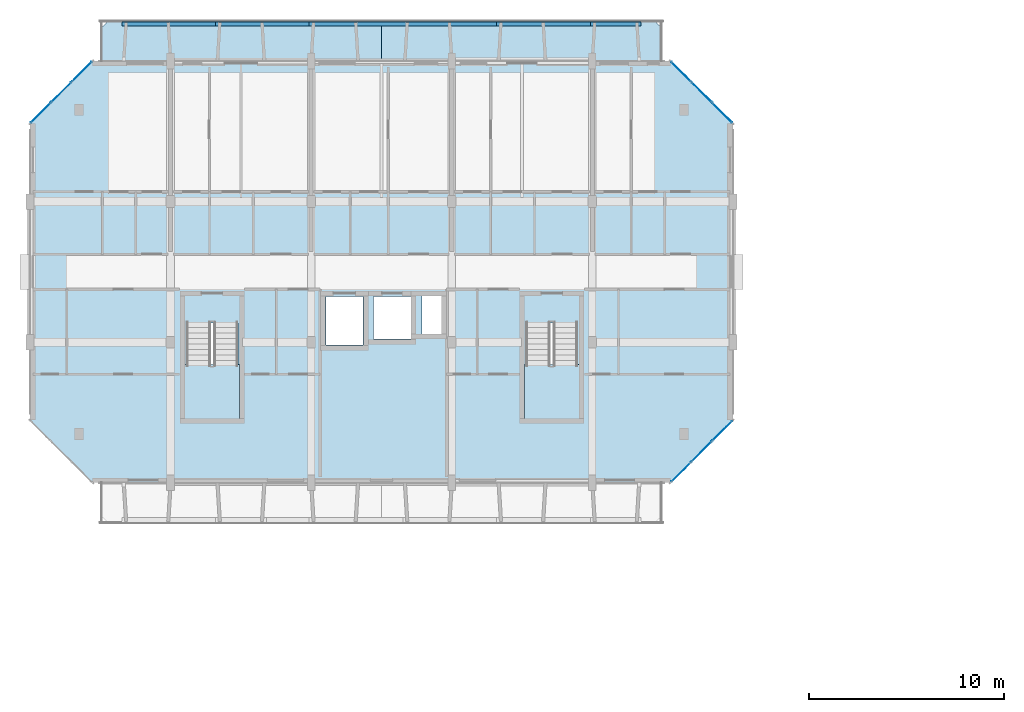
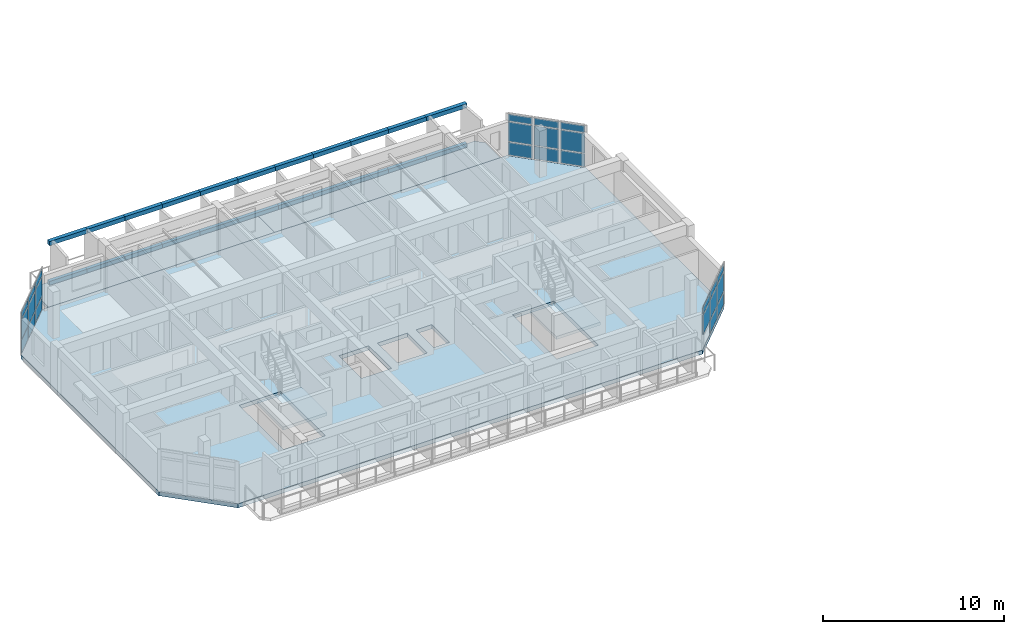
# One storey, part 12 of 40: 48 plates, 5 slabs, 5 elements without a shape of their own.
"""IFC4 building model written with IfcOpenShell, lengths in metres."""

import ifcopenshell
import ifcopenshell.guid

model = None  # the IFC model being written
_history = None  # IfcOwnerHistory: only IFC2X3 demands one
_inside = {}  # id of a spatial element -> (the spatial element, [elements in it])
_under = {}  # id of a project, library or spatial element -> (it, [spatial elements below it])
_declared = {}  # id of a project -> (the project, [libraries it declares])
_typed = {}  # id of a type object -> (the type object, [elements of that type])
_made_of = {}  # id of a material, layer set ... -> (it, [elements and type objects made of it])


def new_model(schema):
    """Start an empty IFC model of exactly this schema.

    Asked for "IFC4X3", IfcOpenShell would pick the latest addendum, in which some entities
    have other attributes; the version numbers below select the first issue.
    IFC2X3 requires an IfcOwnerHistory on every rooted entity: one is made here for all.
    """
    global model, _history
    if schema == "IFC4X3":
        model = ifcopenshell.file(schema_version=(4, 3, 0, 0))
    else:
        model = ifcopenshell.file(schema=schema)
    _inside.clear()
    _under.clear()
    _declared.clear()
    _typed.clear()
    _made_of.clear()
    _history = None
    if model.schema == "IFC2X3":
        org = make("IfcOrganization", Name="unknown")
        user = make(
            "IfcPersonAndOrganization",
            ThePerson=make("IfcPerson", FamilyName="unknown"),
            TheOrganization=org,
        )
        app = make(
            "IfcApplication",
            ApplicationDeveloper=org,
            Version="unknown",
            ApplicationFullName="unknown",
            ApplicationIdentifier="unknown",
        )
        _history = make(
            "IfcOwnerHistory",
            OwningUser=user,
            OwningApplication=app,
            ChangeAction="ADDED",
            CreationDate=0,
        )
    return model


def make(cls, **values):
    """One entity of the class cls with the attributes given. An attribute that is None is left unset."""
    return model.create_entity(
        cls, **{name: value for name, value in values.items() if value is not None}
    )


def rooted(cls, **values):
    """An entity with a GlobalId (a new one), such as an element, a storey or a relation."""
    return make(cls, GlobalId=ifcopenshell.guid.new(), OwnerHistory=_history, **values)


def si_unit(unit_type, name, prefix=None):
    """IfcSIUnit, for example si_unit("LENGTHUNIT", "METRE", prefix="MILLI")."""
    return make("IfcSIUnit", UnitType=unit_type, Prefix=prefix, Name=name)


def assignment(units):
    """IfcUnitAssignment: the units of a project."""
    return None if units is None else make("IfcUnitAssignment", Units=units)


def point(xyz):
    """IfcCartesianPoint."""
    return None if xyz is None else make("IfcCartesianPoint", Coordinates=xyz)


def direction(xyz):
    """IfcDirection."""
    return None if xyz is None else make("IfcDirection", DirectionRatios=xyz)


def frame(location, z_axis=None, x_axis=None):
    """IfcAxis2Placement3D, a coordinate frame: its origin and axes. An axis left out is left unset."""
    return make(
        "IfcAxis2Placement3D",
        Location=point(location),
        Axis=direction(z_axis),
        RefDirection=direction(x_axis),
    )


def frame_2d(location, x_axis=None):
    """IfcAxis2Placement2D, a coordinate frame in the plane: its origin and x axis."""
    return make(
        "IfcAxis2Placement2D", Location=point(location), RefDirection=direction(x_axis)
    )


def origin():
    """The frame at (0, 0, 0) with its axes left unset."""
    return frame((0.0, 0.0, 0.0))


def origin_2d():
    """The frame at (0, 0) in the plane with its x axis left unset."""
    return frame_2d((0.0, 0.0))


def place(relative_to, where):
    """IfcLocalPlacement: puts the frame where relative to a parent placement (None: the world)."""
    return make(
        "IfcLocalPlacement", PlacementRelTo=relative_to, RelativePlacement=where
    )


def context(
    kind, dimensions, precision=None, world=None, true_north=None, identifier=None
):
    """IfcGeometricRepresentationContext, for example the 3D "Model" context."""
    return make(
        "IfcGeometricRepresentationContext",
        ContextIdentifier=identifier,
        ContextType=kind,
        CoordinateSpaceDimension=dimensions,
        Precision=precision,
        WorldCoordinateSystem=world,
        TrueNorth=true_north,
    )


def subcontext(parent, identifier, kind, view, scale=None):
    """IfcGeometricRepresentationSubContext, for example "Body" below "Model"."""
    return make(
        "IfcGeometricRepresentationSubContext",
        ContextIdentifier=identifier,
        ContextType=kind,
        ParentContext=parent,
        TargetScale=scale,
        TargetView=view,
    )


def project(units=None, contexts=None):
    """IfcProject with its units and contexts."""
    return rooted(
        "IfcProject",
        Name="project",
        RepresentationContexts=contexts,
        UnitsInContext=assignment(units),
    )


def spatial(cls, under=None, at=None, **own):
    """A site, building, storey or space (cls), placed at a placement, below another one or the project."""
    s = rooted(cls, ObjectPlacement=at, **own)
    if under is not None:
        _under.setdefault(under.id(), (under, []))[1].append(s)
    return s


def polyline(points):
    """IfcPolyline through the points."""
    return make("IfcPolyline", Points=[point(p) for p in points])


def profile(cls, at=None, kind="AREA", **sizes):
    """A parametric profile (cls). Its sizes go by their IFC names, for example OverallWidth=200.0."""
    return make(cls, ProfileType=kind, Position=at, **sizes)


def rectangle(**sizes):
    """IfcRectangleProfileDef."""
    return profile("IfcRectangleProfileDef", **sizes)


def outline(outer, holes=None, kind="AREA"):
    """IfcArbitraryClosedProfileDef: a profile drawn as a closed curve; with holes, ...WithVoids."""
    if holes is None:
        return make("IfcArbitraryClosedProfileDef", ProfileType=kind, OuterCurve=outer)
    return make(
        "IfcArbitraryProfileDefWithVoids",
        ProfileType=kind,
        OuterCurve=outer,
        InnerCurves=holes,
    )


def extrude(swept, where, along, depth):
    """IfcExtrudedAreaSolid: the profile swept, set in the frame where, extruded along a direction by depth."""
    return make(
        "IfcExtrudedAreaSolid",
        SweptArea=swept,
        Position=where,
        ExtrudedDirection=direction(along),
        Depth=depth,
    )


def shape(context_of_items, identifier, shape_type, items):
    """IfcShapeRepresentation: the items that make up one representation, for example the "Body"."""
    return make(
        "IfcShapeRepresentation",
        ContextOfItems=context_of_items,
        RepresentationIdentifier=identifier,
        RepresentationType=shape_type,
        Items=items,
    )


def material(Name=None, Category=None):
    """IfcMaterial."""
    return make("IfcMaterial", Name=Name, Category=Category)


def layer(
    of_material, thickness, ventilated=None, Name=None, Category=None, Priority=None
):
    """IfcMaterialLayer: one layer of a wall or slab, of a material (None: an air gap)."""
    return make(
        "IfcMaterialLayer",
        Material=of_material,
        LayerThickness=thickness,
        IsVentilated=ventilated,
        Name=Name,
        Category=Category,
        Priority=Priority,
    )


def layer_set(layers, Name=None):
    """IfcMaterialLayerSet."""
    return make("IfcMaterialLayerSet", MaterialLayers=layers, LayerSetName=Name)


def made_of(thing, what):
    """Note that an element or type object is made of a material, layer set ...; save() writes the relation."""
    if what is not None:
        _made_of.setdefault(what.id(), (what, []))[1].append(thing)
    return thing


def type_object(cls, material=None, **own):
    """A type object (cls), such as IfcWallType, which elements share."""
    return made_of(rooted(cls, **own), material)


def element(
    cls,
    number,
    at=None,
    inside=None,
    cuts=None,
    type_object=None,
    material=None,
    context=None,
    identifier="Body",
    shape_type=None,
    held_by="IfcProductDefinitionShape",
    body=None,
    shapes=None,
    **own,
):
    """One element of the class cls, such as IfcWall. Its Tag is "e" and its number.

    at: its placement. inside: the storey or other place that contains it. cuts: it is an
    opening in that element (IfcRelVoidsElement). A single representation is given by context,
    identifier, shape_type and body (its items); several are given by shapes. held_by: the class
    of the entity that holds the representations. save() writes the other relations.
    """
    e = rooted(cls, Tag="e%d" % number, ObjectPlacement=at, **own)
    if body is not None:
        shapes = [shape(context, identifier, shape_type, body)]
    if shapes is not None:
        e.Representation = make(held_by, Representations=shapes)
    if inside is not None:
        _inside.setdefault(inside.id(), (inside, []))[1].append(e)
    if cuts is not None:
        rooted(
            "IfcRelVoidsElement", RelatingBuildingElement=cuts, RelatedOpeningElement=e
        )
    if type_object is not None:
        _typed.setdefault(type_object.id(), (type_object, []))[1].append(e)
    return made_of(e, material)


def aggregate(whole, parts):
    """IfcRelAggregates: a whole, such as a stair, and the parts it consists of."""
    return rooted("IfcRelAggregates", RelatingObject=whole, RelatedObjects=parts)


def save(model, path):
    """Write the relations noted so far, then the file.

    IfcRelAggregates (storeys below a building ...), IfcRelContainedInSpatialStructure (elements
    in a storey), IfcRelDefinesByType, IfcRelAssociatesMaterial and IfcRelDeclares: one each for
    every whole, place, type object, material and project.
    """
    for whole, parts in _under.values():
        aggregate(whole, parts)
    for where, things in _inside.values():
        rooted(
            "IfcRelContainedInSpatialStructure",
            RelatedElements=things,
            RelatingStructure=where,
        )
    for kind, things in _typed.values():
        rooted("IfcRelDefinesByType", RelatedObjects=things, RelatingType=kind)
    for what, things in _made_of.values():
        rooted("IfcRelAssociatesMaterial", RelatedObjects=things, RelatingMaterial=what)
    for by, libraries in _declared.values():
        rooted("IfcRelDeclares", RelatingContext=by, RelatedDefinitions=libraries)
    model.write(path)


model = new_model("IFC4")

# Units and contexts
model_context = context("Model", 3, precision=1e-05, world=origin(), true_north=direction((0.0, 1.0)))
body_context = subcontext(model_context, "Body", "Model", "MODEL_VIEW")
ifc_project = project(units=[si_unit("LENGTHUNIT", "METRE"), si_unit("AREAUNIT", "SQUARE_METRE"), si_unit("VOLUMEUNIT", "CUBIC_METRE"), si_unit("PLANEANGLEUNIT", "RADIAN"), si_unit("MASSUNIT", "GRAM", prefix="KILO")], contexts=[model_context])

# Site, building, storey
site_placement = place(None, origin())
site = spatial("IfcSite", under=ifc_project, at=site_placement, CompositionType="ELEMENT")
building_placement = place(site_placement, origin())
building = spatial("IfcBuilding", under=site, at=building_placement, Name="Ochrevale Crest", CompositionType="ELEMENT")
storey_placement = place(building_placement, frame((0.0, 0.0, 27.60009765625)))
storey = spatial("IfcBuildingStorey", under=building, at=storey_placement, Name="L08", CompositionType="ELEMENT", Elevation=27.60009765625)

# Curtain wall, plates
ifc_material_1 = material(Name="Anodised aluminium 6063-T5", Category="aluminium")
ifc_layer_1 = layer(ifc_material_1, 0.14990234375)
ifc_layer_set_1 = layer_set([ifc_layer_1], Name="Anodised aluminium 6063-T5")
curtain_wall_type_1 = type_object("IfcCurtainWallType", Name="CW-WG-240x285", PredefinedType="NOTDEFINED", material=ifc_layer_set_1)
curtain_wall_1_placement = place(storey_placement, origin())
curtain_wall_1 = element("IfcCurtainWall", 1, at=curtain_wall_1_placement, inside=storey, type_object=curtain_wall_type_1, Name="Block B L08 chamfered corner wintergarden curtain wall 2", PredefinedType="NOTDEFINED")
ifc_material_2 = material(Name="Double-glazed low-E insulated glass unit", Category="glass")
ifc_layer_2 = layer(ifc_material_2, 0.028076171875)
ifc_layer_set_2 = layer_set([ifc_layer_2], Name="Double-glazed low-E insulated glass unit")
plate_type_1 = type_object("IfcPlateType", Name="CW-PNL-IGU28", PredefinedType="CURTAIN_PANEL", material=ifc_layer_set_2)
plate_1_placement = place(storey_placement, frame((33.3466796875, 72.546630859375, 0.97998046875), z_axis=(0.0, 0.0, 1.0), x_axis=(0.707106781187, 0.707106781187, 0.0)))
plate_1 = element("IfcPlate", 2, at=plate_1_placement, type_object=plate_type_1, Name="CW15 panel 1.2", PredefinedType="CURTAIN_PANEL", context=body_context, shape_type="SweptSolid", body=[
    extrude(rectangle(XDim=1.39599609375, YDim=0.028076171875, at=origin_2d()), origin(), (0.0, 0.0, 1.0), 1.31494140625),
])
plate_2_placement = place(storey_placement, frame((33.3466796875, 72.546630859375, 2.35498046875), z_axis=(0.0, 0.0, 1.0), x_axis=(0.707106781187, 0.707106781187, 0.0)))
plate_2 = element("IfcPlate", 3, at=plate_2_placement, type_object=plate_type_1, Name="CW15 panel 1.3", PredefinedType="CURTAIN_PANEL", context=body_context, shape_type="SweptSolid", body=[
    extrude(rectangle(XDim=1.39599609375, YDim=0.028076171875, at=origin_2d()), origin(), (0.0, 0.0, 1.0), 0.4599609375),
])
plate_3_placement = place(storey_placement, frame((34.39990234375, 73.60009765625, 0.06005859375), z_axis=(0.0, 0.0, 1.0), x_axis=(0.707106781187, 0.707106781187, 0.0)))
plate_3 = element("IfcPlate", 4, at=plate_3_placement, type_object=plate_type_1, Name="CW15 panel 2.1", PredefinedType="CURTAIN_PANEL", context=body_context, shape_type="SweptSolid", body=[
    extrude(rectangle(XDim=1.43359375, YDim=0.028076171875, at=origin_2d()), origin(), (0.0, 0.0, 1.0), 0.860107421875),
])
plate_4_placement = place(storey_placement, frame((34.39990234375, 73.60009765625, 0.97998046875), z_axis=(0.0, 0.0, 1.0), x_axis=(0.707106781187, 0.707106781187, 0.0)))
plate_4 = element("IfcPlate", 5, at=plate_4_placement, type_object=plate_type_1, Name="CW15 panel 2.2", PredefinedType="CURTAIN_PANEL", context=body_context, shape_type="SweptSolid", body=[
    extrude(rectangle(XDim=1.43359375, YDim=0.028076171875, at=origin_2d()), origin(), (0.0, 0.0, 1.0), 1.31494140625),
])
plate_5_placement = place(storey_placement, frame((34.39990234375, 73.60009765625, 2.35498046875), z_axis=(0.0, 0.0, 1.0), x_axis=(0.707106781187, 0.707106781187, 0.0)))
plate_5 = element("IfcPlate", 6, at=plate_5_placement, type_object=plate_type_1, Name="CW15 panel 2.3", PredefinedType="CURTAIN_PANEL", context=body_context, shape_type="SweptSolid", body=[
    extrude(rectangle(XDim=1.43359375, YDim=0.028076171875, at=origin_2d()), origin(), (0.0, 0.0, 1.0), 0.4599609375),
])
plate_6_placement = place(storey_placement, frame((35.453369140625, 74.6533203125, 0.06005859375), z_axis=(0.0, 0.0, 1.0), x_axis=(0.707106781187, 0.707106781187, 0.0)))
plate_6 = element("IfcPlate", 7, at=plate_6_placement, type_object=plate_type_1, Name="CW15 panel 3.1", PredefinedType="CURTAIN_PANEL", context=body_context, shape_type="SweptSolid", body=[
    extrude(rectangle(XDim=1.39599609375, YDim=0.028076171875, at=origin_2d()), origin(), (0.0, 0.0, 1.0), 0.860107421875),
])
plate_7_placement = place(storey_placement, frame((35.453369140625, 74.6533203125, 0.97998046875), z_axis=(0.0, 0.0, 1.0), x_axis=(0.707106781187, 0.707106781187, 0.0)))
plate_7 = element("IfcPlate", 8, at=plate_7_placement, type_object=plate_type_1, Name="CW15 panel 3.2", PredefinedType="CURTAIN_PANEL", context=body_context, shape_type="SweptSolid", body=[
    extrude(rectangle(XDim=1.39599609375, YDim=0.028076171875, at=origin_2d()), origin(), (0.0, 0.0, 1.0), 1.31494140625),
])
plate_8_placement = place(storey_placement, frame((35.453369140625, 74.6533203125, 2.35498046875), z_axis=(0.0, 0.0, 1.0), x_axis=(0.707106781187, 0.707106781187, 0.0)))
plate_8 = element("IfcPlate", 9, at=plate_8_placement, type_object=plate_type_1, Name="CW15 panel 3.3", PredefinedType="CURTAIN_PANEL", context=body_context, shape_type="SweptSolid", body=[
    extrude(rectangle(XDim=1.39599609375, YDim=0.028076171875, at=origin_2d()), origin(), (0.0, 0.0, 1.0), 0.4599609375),
])
aggregate(curtain_wall_1, [plate_1, plate_2, plate_3, plate_4, plate_5, plate_6, plate_7, plate_8])

ifc_layer_3 = layer(ifc_material_1, 0.14990234375)
ifc_layer_set_3 = layer_set([ifc_layer_3], Name="Anodised aluminium 6063-T5")
curtain_wall_type_2 = type_object("IfcCurtainWallType", Name="CW-WG-320x285", PredefinedType="NOTDEFINED", material=ifc_layer_set_3)
curtain_wall_2_placement = place(storey_placement, origin())
curtain_wall_2 = element("IfcCurtainWall", 10, at=curtain_wall_2_placement, inside=storey, type_object=curtain_wall_type_2, Name="Block B L08 chamfered corner wintergarden curtain wall 4", PredefinedType="NOTDEFINED")
plate_9_placement = place(storey_placement, frame((35.453369140625, 90.946533203125, 0.06005859375), z_axis=(0.0, 0.0, 1.0), x_axis=(-0.707106781187, 0.707106781187, 0.0)))
plate_9 = element("IfcPlate", 11, at=plate_9_placement, type_object=plate_type_1, Name="CW17 panel 1.1", PredefinedType="CURTAIN_PANEL", context=body_context, shape_type="SweptSolid", body=[
    extrude(rectangle(XDim=1.39599609375, YDim=0.028076171875, at=origin_2d()), origin(), (0.0, 0.0, 1.0), 0.860107421875),
])
plate_10_placement = place(storey_placement, frame((35.453369140625, 90.946533203125, 0.97998046875), z_axis=(0.0, 0.0, 1.0), x_axis=(-0.707106781187, 0.707106781187, 0.0)))
plate_10 = element("IfcPlate", 12, at=plate_10_placement, type_object=plate_type_1, Name="CW17 panel 1.2", PredefinedType="CURTAIN_PANEL", context=body_context, shape_type="SweptSolid", body=[
    extrude(rectangle(XDim=1.39599609375, YDim=0.028076171875, at=origin_2d()), origin(), (0.0, 0.0, 1.0), 1.31494140625),
])
plate_11_placement = place(storey_placement, frame((35.453369140625, 90.946533203125, 2.35498046875), z_axis=(0.0, 0.0, 1.0), x_axis=(-0.707106781187, 0.707106781187, 0.0)))
plate_11 = element("IfcPlate", 13, at=plate_11_placement, type_object=plate_type_1, Name="CW17 panel 1.3", PredefinedType="CURTAIN_PANEL", context=body_context, shape_type="SweptSolid", body=[
    extrude(rectangle(XDim=1.39599609375, YDim=0.028076171875, at=origin_2d()), origin(), (0.0, 0.0, 1.0), 0.4599609375),
])
plate_12_placement = place(storey_placement, frame((34.39990234375, 92.0, 0.06005859375), z_axis=(0.0, 0.0, 1.0), x_axis=(-0.707106781187, 0.707106781187, 0.0)))
plate_12 = element("IfcPlate", 14, at=plate_12_placement, type_object=plate_type_1, Name="CW17 panel 2.1", PredefinedType="CURTAIN_PANEL", context=body_context, shape_type="SweptSolid", body=[
    extrude(rectangle(XDim=1.43359375, YDim=0.028076171875, at=origin_2d()), origin(), (0.0, 0.0, 1.0), 0.860107421875),
])
plate_13_placement = place(storey_placement, frame((34.39990234375, 92.0, 0.97998046875), z_axis=(0.0, 0.0, 1.0), x_axis=(-0.707106781187, 0.707106781187, 0.0)))
plate_13 = element("IfcPlate", 15, at=plate_13_placement, type_object=plate_type_1, Name="CW17 panel 2.2", PredefinedType="CURTAIN_PANEL", context=body_context, shape_type="SweptSolid", body=[
    extrude(rectangle(XDim=1.43359375, YDim=0.028076171875, at=origin_2d()), origin(), (0.0, 0.0, 1.0), 1.31494140625),
])
plate_14_placement = place(storey_placement, frame((34.39990234375, 92.0, 2.35498046875), z_axis=(0.0, 0.0, 1.0), x_axis=(-0.707106781187, 0.707106781187, 0.0)))
plate_14 = element("IfcPlate", 16, at=plate_14_placement, type_object=plate_type_1, Name="CW17 panel 2.3", PredefinedType="CURTAIN_PANEL", context=body_context, shape_type="SweptSolid", body=[
    extrude(rectangle(XDim=1.43359375, YDim=0.028076171875, at=origin_2d()), origin(), (0.0, 0.0, 1.0), 0.4599609375),
])
plate_15_placement = place(storey_placement, frame((33.3466796875, 93.053466796875, 0.06005859375), z_axis=(0.0, 0.0, 1.0), x_axis=(-0.707106781187, 0.707106781187, 0.0)))
plate_15 = element("IfcPlate", 17, at=plate_15_placement, type_object=plate_type_1, Name="CW17 panel 3.1", PredefinedType="CURTAIN_PANEL", context=body_context, shape_type="SweptSolid", body=[
    extrude(rectangle(XDim=1.39599609375, YDim=0.028076171875, at=origin_2d()), origin(), (0.0, 0.0, 1.0), 0.860107421875),
])
plate_16_placement = place(storey_placement, frame((33.3466796875, 93.053466796875, 0.97998046875), z_axis=(0.0, 0.0, 1.0), x_axis=(-0.707106781187, 0.707106781187, 0.0)))
plate_16 = element("IfcPlate", 18, at=plate_16_placement, type_object=plate_type_1, Name="CW17 panel 3.2", PredefinedType="CURTAIN_PANEL", context=body_context, shape_type="SweptSolid", body=[
    extrude(rectangle(XDim=1.39599609375, YDim=0.028076171875, at=origin_2d()), origin(), (0.0, 0.0, 1.0), 1.31494140625),
])
plate_17_placement = place(storey_placement, frame((33.3466796875, 93.053466796875, 2.35498046875), z_axis=(0.0, 0.0, 1.0), x_axis=(-0.707106781187, 0.707106781187, 0.0)))
plate_17 = element("IfcPlate", 19, at=plate_17_placement, type_object=plate_type_1, Name="CW17 panel 3.3", PredefinedType="CURTAIN_PANEL", context=body_context, shape_type="SweptSolid", body=[
    extrude(rectangle(XDim=1.39599609375, YDim=0.028076171875, at=origin_2d()), origin(), (0.0, 0.0, 1.0), 0.4599609375),
])
aggregate(curtain_wall_2, [plate_9, plate_10, plate_11, plate_12, plate_13, plate_14, plate_15, plate_16, plate_17])

ifc_layer_4 = layer(ifc_material_1, 0.14990234375)
ifc_layer_set_4 = layer_set([ifc_layer_4], Name="Anodised aluminium 6063-T5")
curtain_wall_type_3 = type_object("IfcCurtainWallType", Name="CW-WG-420x285", PredefinedType="NOTDEFINED", material=ifc_layer_set_4)
curtain_wall_3_placement = place(storey_placement, origin())
curtain_wall_3 = element("IfcCurtainWall", 20, at=curtain_wall_3_placement, inside=storey, type_object=curtain_wall_type_3, Name="Block B L08 chamfered corner wintergarden curtain wall 6", PredefinedType="NOTDEFINED")
plate_18_placement = place(storey_placement, frame((2.6533203125, 93.053466796875, 0.06005859375), z_axis=(0.0, 0.0, 1.0), x_axis=(-0.707106781187, -0.707106781187, 0.0)))
plate_18 = element("IfcPlate", 21, at=plate_18_placement, type_object=plate_type_1, Name="CW22 panel 1.1", PredefinedType="CURTAIN_PANEL", context=body_context, shape_type="SweptSolid", body=[
    extrude(rectangle(XDim=1.39599609375, YDim=0.028076171875, at=origin_2d()), origin(), (0.0, 0.0, 1.0), 0.860107421875),
])
plate_19_placement = place(storey_placement, frame((2.6533203125, 93.053466796875, 0.97998046875), z_axis=(0.0, 0.0, 1.0), x_axis=(-0.707106781187, -0.707106781187, 0.0)))
plate_19 = element("IfcPlate", 22, at=plate_19_placement, type_object=plate_type_1, Name="CW22 panel 1.2", PredefinedType="CURTAIN_PANEL", context=body_context, shape_type="SweptSolid", body=[
    extrude(rectangle(XDim=1.39599609375, YDim=0.028076171875, at=origin_2d()), origin(), (0.0, 0.0, 1.0), 1.31494140625),
])
plate_20_placement = place(storey_placement, frame((2.6533203125, 93.053466796875, 2.35498046875), z_axis=(0.0, 0.0, 1.0), x_axis=(-0.707106781187, -0.707106781187, 0.0)))
plate_20 = element("IfcPlate", 23, at=plate_20_placement, type_object=plate_type_1, Name="CW22 panel 1.3", PredefinedType="CURTAIN_PANEL", context=body_context, shape_type="SweptSolid", body=[
    extrude(rectangle(XDim=1.39599609375, YDim=0.028076171875, at=origin_2d()), origin(), (0.0, 0.0, 1.0), 0.4599609375),
])
plate_21_placement = place(storey_placement, frame((1.60009765625, 92.0, 0.06005859375), z_axis=(0.0, 0.0, 1.0), x_axis=(-0.707106781187, -0.707106781187, 0.0)))
plate_21 = element("IfcPlate", 24, at=plate_21_placement, type_object=plate_type_1, Name="CW22 panel 2.1", PredefinedType="CURTAIN_PANEL", context=body_context, shape_type="SweptSolid", body=[
    extrude(rectangle(XDim=1.43359375, YDim=0.028076171875, at=origin_2d()), origin(), (0.0, 0.0, 1.0), 0.860107421875),
])
plate_22_placement = place(storey_placement, frame((1.60009765625, 92.0, 0.97998046875), z_axis=(0.0, 0.0, 1.0), x_axis=(-0.707106781187, -0.707106781187, 0.0)))
plate_22 = element("IfcPlate", 25, at=plate_22_placement, type_object=plate_type_1, Name="CW22 panel 2.2", PredefinedType="CURTAIN_PANEL", context=body_context, shape_type="SweptSolid", body=[
    extrude(rectangle(XDim=1.43359375, YDim=0.028076171875, at=origin_2d()), origin(), (0.0, 0.0, 1.0), 1.31494140625),
])
plate_23_placement = place(storey_placement, frame((1.60009765625, 92.0, 2.35498046875), z_axis=(0.0, 0.0, 1.0), x_axis=(-0.707106781187, -0.707106781187, 0.0)))
plate_23 = element("IfcPlate", 26, at=plate_23_placement, type_object=plate_type_1, Name="CW22 panel 2.3", PredefinedType="CURTAIN_PANEL", context=body_context, shape_type="SweptSolid", body=[
    extrude(rectangle(XDim=1.43359375, YDim=0.028076171875, at=origin_2d()), origin(), (0.0, 0.0, 1.0), 0.4599609375),
])
plate_24_placement = place(storey_placement, frame((0.546630859375, 90.946533203125, 0.06005859375), z_axis=(0.0, 0.0, 1.0), x_axis=(-0.707106781187, -0.707106781187, 0.0)))
plate_24 = element("IfcPlate", 27, at=plate_24_placement, type_object=plate_type_1, Name="CW22 panel 3.1", PredefinedType="CURTAIN_PANEL", context=body_context, shape_type="SweptSolid", body=[
    extrude(rectangle(XDim=1.39599609375, YDim=0.028076171875, at=origin_2d()), origin(), (0.0, 0.0, 1.0), 0.860107421875),
])
plate_25_placement = place(storey_placement, frame((0.546630859375, 90.946533203125, 0.97998046875), z_axis=(0.0, 0.0, 1.0), x_axis=(-0.707106781187, -0.707106781187, 0.0)))
plate_25 = element("IfcPlate", 28, at=plate_25_placement, type_object=plate_type_1, Name="CW22 panel 3.2", PredefinedType="CURTAIN_PANEL", context=body_context, shape_type="SweptSolid", body=[
    extrude(rectangle(XDim=1.39599609375, YDim=0.028076171875, at=origin_2d()), origin(), (0.0, 0.0, 1.0), 1.31494140625),
])
plate_26_placement = place(storey_placement, frame((0.546630859375, 90.946533203125, 2.35498046875), z_axis=(0.0, 0.0, 1.0), x_axis=(-0.707106781187, -0.707106781187, 0.0)))
plate_26 = element("IfcPlate", 29, at=plate_26_placement, type_object=plate_type_1, Name="CW22 panel 3.3", PredefinedType="CURTAIN_PANEL", context=body_context, shape_type="SweptSolid", body=[
    extrude(rectangle(XDim=1.39599609375, YDim=0.028076171875, at=origin_2d()), origin(), (0.0, 0.0, 1.0), 0.4599609375),
])
aggregate(curtain_wall_3, [plate_18, plate_19, plate_20, plate_21, plate_22, plate_23, plate_24, plate_25, plate_26])

# Plates
ifc_material_3 = material(Name="Precast concrete C40/50", Category="concrete")
ifc_layer_5 = layer(ifc_material_3, 0.06005859375)
ifc_layer_set_5 = layer_set([ifc_layer_5], Name="Precast concrete C40/50")
plate_type_2 = type_object("IfcPlateType", Name="PLT-HC-HEAD-60", PredefinedType="USERDEFINED", material=ifc_layer_set_5)
for number, where, z_axis, x_axis, name in (
    (30, (6.0, 95.5, 2.669921875), (0.0, 0.0, 1.0), (1.0, 0.0, 0.0), "Block B L08 N honeycomb arched lintel fascia 1"),
    (31, (8.39990234375, 95.5, 2.669921875), (0.0, 0.0, 1.0), (1.0, 0.0, 0.0), "Block B L08 N honeycomb arched lintel fascia 2"),
    (32, (10.800048828125, 95.5, 2.669921875), (0.0, 0.0, 1.0), (1.0, 0.0, 0.0), "Block B L08 N honeycomb arched lintel fascia 3"),
    (33, (13.199951171875, 95.5, 2.669921875), (0.0, 0.0, 1.0), (1.0, 0.0, 0.0), "Block B L08 N honeycomb arched lintel fascia 4"),
    (34, (15.60009765625, 95.5, 2.669921875), (0.0, 0.0, 1.0), (1.0, 0.0, 0.0), "Block B L08 N honeycomb arched lintel fascia 5"),
    (35, (18.0, 95.5, 2.669921875), (0.0, 0.0, 1.0), (1.0, 0.0, 0.0), "Block B L08 N honeycomb arched lintel fascia 6"),
    (36, (20.39990234375, 95.5, 2.669921875), (0.0, 0.0, 1.0), (1.0, 0.0, 0.0), "Block B L08 N honeycomb arched lintel fascia 7"),
    (37, (22.800048828125, 95.5, 2.669921875), (0.0, 0.0, 1.0), (1.0, 0.0, 0.0), "Block B L08 N honeycomb arched lintel fascia 8"),
    (38, (25.199951171875, 95.5, 2.669921875), (0.0, 0.0, 1.0), (1.0, 0.0, 0.0), "Block B L08 N honeycomb arched lintel fascia 9"),
    (39, (27.60009765625, 95.5, 2.669921875), (0.0, 0.0, 1.0), (1.0, 0.0, 0.0), "Block B L08 N honeycomb arched lintel fascia 10"),
    (40, (30.0, 95.5, 2.669921875), (0.0, 0.0, 1.0), (1.0, 0.0, 0.0), "Block B L08 N honeycomb arched lintel fascia 11"),
):
    element("IfcPlate", number, at=place(storey_placement, frame(where, z_axis=z_axis, x_axis=x_axis)), inside=storey, type_object=plate_type_2, Name=name, ObjectType="FACADE FASCIA PLATE", PredefinedType="USERDEFINED", context=body_context, shape_type="SweptSolid", body=[
        extrude(rectangle(XDim=2.60009765625, YDim=0.239990234375, at=origin_2d()), origin(), (0.0, 0.0, 1.0), 0.280029296875),
    ])
ifc_layer_6 = layer(ifc_material_3, 0.044921875)
ifc_layer_set_6 = layer_set([ifc_layer_6], Name="Precast concrete C40/50")
plate_type_3 = type_object("IfcPlateType", Name="PLT-HC-SILL-45", PredefinedType="USERDEFINED", material=ifc_layer_set_6)
for number, where, z_axis, x_axis, name in (
    (41, (6.0, 95.5, 0.0), (0.0, 0.0, 1.0), (1.0, 0.0, 0.0), "Block B L08 N honeycomb sill coping plate 1"),
    (42, (8.39990234375, 95.5, 0.0), (0.0, 0.0, 1.0), (1.0, 0.0, 0.0), "Block B L08 N honeycomb sill coping plate 2"),
    (43, (10.800048828125, 95.5, 0.0), (0.0, 0.0, 1.0), (1.0, 0.0, 0.0), "Block B L08 N honeycomb sill coping plate 3"),
    (44, (13.199951171875, 95.5, 0.0), (0.0, 0.0, 1.0), (1.0, 0.0, 0.0), "Block B L08 N honeycomb sill coping plate 4"),
    (45, (15.60009765625, 95.5, 0.0), (0.0, 0.0, 1.0), (1.0, 0.0, 0.0), "Block B L08 N honeycomb sill coping plate 5"),
    (46, (18.0, 95.5, 0.0), (0.0, 0.0, 1.0), (1.0, 0.0, 0.0), "Block B L08 N honeycomb sill coping plate 6"),
    (47, (20.39990234375, 95.5, 0.0), (0.0, 0.0, 1.0), (1.0, 0.0, 0.0), "Block B L08 N honeycomb sill coping plate 7"),
    (48, (22.800048828125, 95.5, 0.0), (0.0, 0.0, 1.0), (1.0, 0.0, 0.0), "Block B L08 N honeycomb sill coping plate 8"),
    (49, (25.199951171875, 95.5, 0.0), (0.0, 0.0, 1.0), (1.0, 0.0, 0.0), "Block B L08 N honeycomb sill coping plate 9"),
    (50, (27.60009765625, 95.5, 0.0), (0.0, 0.0, 1.0), (1.0, 0.0, 0.0), "Block B L08 N honeycomb sill coping plate 10"),
    (51, (30.0, 95.5, 0.0), (0.0, 0.0, 1.0), (1.0, 0.0, 0.0), "Block B L08 N honeycomb sill coping plate 11"),
):
    element("IfcPlate", number, at=place(storey_placement, frame(where, z_axis=z_axis, x_axis=x_axis)), inside=storey, type_object=plate_type_3, Name=name, ObjectType="SILL COPING PLATE", PredefinedType="USERDEFINED", context=body_context, shape_type="SweptSolid", body=[
        extrude(rectangle(XDim=2.60009765625, YDim=0.219970703125, at=origin_2d()), origin(), (0.0, 0.0, 1.0), 0.260009765625),
    ])

# Slabs
ifc_layer_7 = layer(ifc_material_3, 0.199951171875)
ifc_layer_set_7 = layer_set([ifc_layer_7], Name="Precast concrete C40/50")
slab_type_1 = type_object("IfcSlabType", Name="SLB-BAL-200", PredefinedType="FLOOR", material=ifc_layer_set_7)
slab_1_placement = place(storey_placement, frame((0.0, 0.0, -0.2001953125)))
element("IfcSlab", 52, at=slab_1_placement, inside=storey, type_object=slab_type_1, Name="Block B L08 N1 precast loggia balcony slab", PredefinedType="FLOOR", context=body_context, shape_type="SweptSolid", body=[
    extrude(outline(polyline([(3.60009765625, 93.60009765625), (18.0, 93.60009765625), (18.0, 95.699951171875), (4.050048828125, 95.699951171875), (3.60009765625, 95.25), (3.60009765625, 93.60009765625)])), origin(), (0.0, 0.0, 1.0), 0.2001953125),
])
slab_2_placement = place(storey_placement, frame((0.0, 0.0, -0.2001953125)))
element("IfcSlab", 53, at=slab_2_placement, inside=storey, type_object=slab_type_1, Name="Block B L08 N2 precast loggia balcony slab", PredefinedType="FLOOR", context=body_context, shape_type="SweptSolid", body=[
    extrude(outline(polyline([(18.0, 93.60009765625), (32.39990234375, 93.60009765625), (32.39990234375, 95.25), (31.949951171875, 95.699951171875), (18.0, 95.699951171875), (18.0, 93.60009765625)])), origin(), (0.0, 0.0, 1.0), 0.2001953125),
])
ifc_layer_8 = layer(ifc_material_3, 0.27490234375)
ifc_layer_set_8 = layer_set([ifc_layer_8], Name="Precast concrete C40/50")
slab_type_2 = type_object("IfcSlabType", Name="SLB-RES-275", PredefinedType="FLOOR", material=ifc_layer_set_8)
slab_3_placement = place(storey_placement, frame((0.0, 0.0, -0.275146484375)))
element("IfcSlab", 54, at=slab_3_placement, inside=storey, type_object=slab_type_2, Name="Block B L08 composite hollowcore floor slab", PredefinedType="FLOOR", context=body_context, shape_type="SweptSolid", body=[
    extrude(outline(polyline([(3.199951171875, 72.0), (32.800048828125, 72.0), (36.0, 75.199951171875), (36.0, 90.39990234375), (32.800048828125, 93.60009765625), (3.199951171875, 93.60009765625), (0.0, 90.39990234375), (0.0, 75.199951171875), (3.199951171875, 72.0)]), holes=[polyline([(8.0, 80.175048828125), (8.0, 75.27490234375), (10.64990234375, 75.27490234375), (10.64990234375, 80.175048828125), (8.0, 80.175048828125)]), polyline([(25.39990234375, 80.175048828125), (25.39990234375, 75.27490234375), (28.050048828125, 75.27490234375), (28.050048828125, 80.175048828125), (25.39990234375, 80.175048828125)]), polyline([(15.14990234375, 79.050048828125), (17.050048828125, 79.050048828125), (17.050048828125, 81.550048828125), (15.14990234375, 81.550048828125), (15.14990234375, 79.050048828125)]), polyline([(17.60009765625, 79.35009765625), (19.5, 79.35009765625), (19.5, 81.550048828125), (17.60009765625, 81.550048828125), (17.60009765625, 79.35009765625)]), polyline([(20.070068359375, 79.6201171875), (21.080078125, 79.6201171875), (21.080078125, 81.580078125), (20.070068359375, 81.580078125), (20.070068359375, 79.6201171875)])]), origin(), (0.0, 0.0, 1.0), 0.275146484375),
])

# Stair, slab
stair_type = type_object("IfcStairType", Name="ST-CORE-DOG", PredefinedType="HALF_TURN_STAIR", material=ifc_material_3)
stair_1_placement = place(storey_placement, origin())
stair_1 = element("IfcStair", 55, at=stair_1_placement, inside=storey, type_object=stair_type, Name="L08 Block B Fire Stair 1", PredefinedType="HALF_TURN_STAIR")
ifc_layer_9 = layer(ifc_material_3, 0.199951171875)
ifc_layer_set_9 = layer_set([ifc_layer_9], Name="Precast concrete C40/50")
slab_type_3 = type_object("IfcSlabType", Name="SLB-ST-LAND", PredefinedType="LANDING", material=ifc_layer_set_9)
slab_4_placement = place(storey_placement, frame((0.0, 0.0, 1.375)))
slab_4 = element("IfcSlab", 56, at=slab_4_placement, type_object=slab_type_3, Name="ST-B1 landing 1", PredefinedType="LANDING", context=body_context, shape_type="SweptSolid", body=[
    extrude(outline(polyline([(7.919921875, 78.06494140625), (7.919921875, 75.195068359375), (10.72998046875, 75.195068359375), (10.72998046875, 78.06494140625), (7.919921875, 78.06494140625)])), origin(), (0.0, 0.0, 1.0), 0.199951171875),
])
aggregate(stair_1, [slab_4])

stair_2_placement = place(storey_placement, origin())
stair_2 = element("IfcStair", 57, at=stair_2_placement, inside=storey, type_object=stair_type, Name="L08 Block B Fire Stair 2", PredefinedType="HALF_TURN_STAIR")
slab_5_placement = place(storey_placement, frame((0.0, 0.0, 1.375)))
slab_5 = element("IfcSlab", 58, at=slab_5_placement, type_object=slab_type_3, Name="ST-B2 landing 1", PredefinedType="LANDING", context=body_context, shape_type="SweptSolid", body=[
    extrude(outline(polyline([(25.320068359375, 78.06494140625), (25.320068359375, 75.195068359375), (28.1298828125, 75.195068359375), (28.1298828125, 78.06494140625), (25.320068359375, 78.06494140625)])), origin(), (0.0, 0.0, 1.0), 0.199951171875),
])
aggregate(stair_2, [slab_5])

save(model, "model.ifc")
